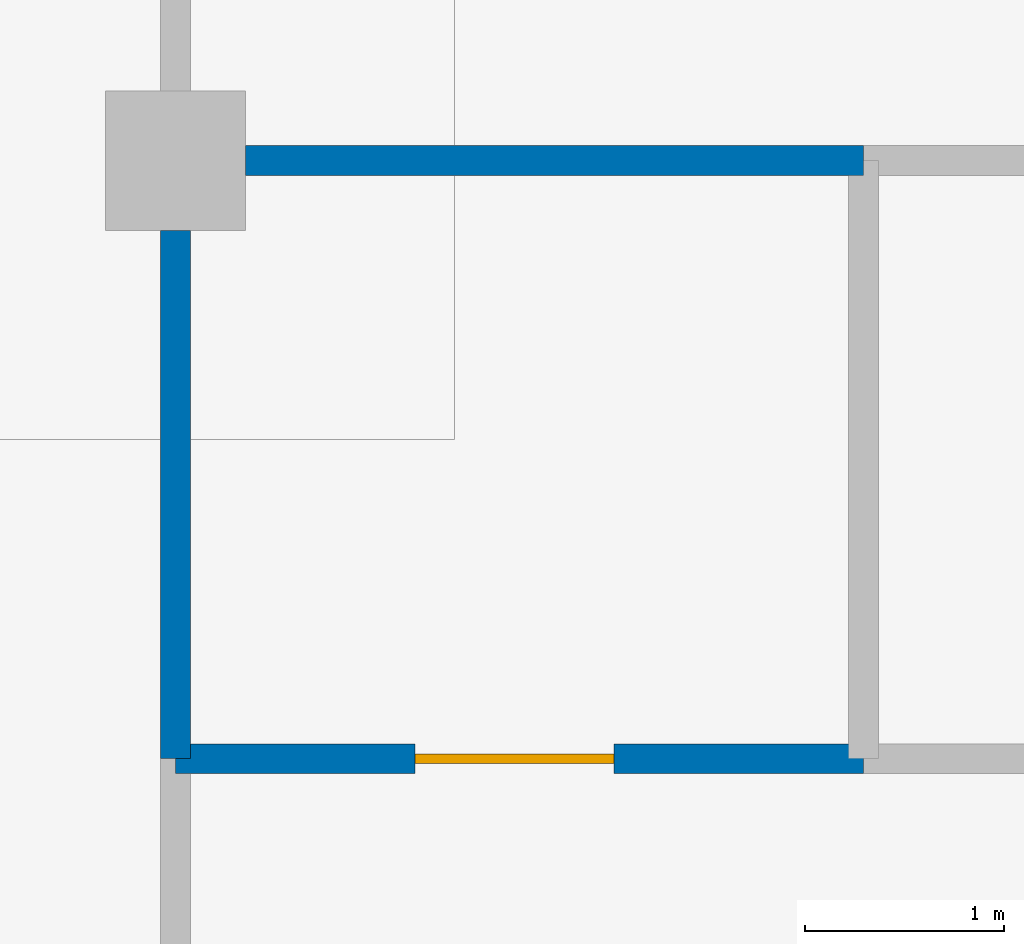
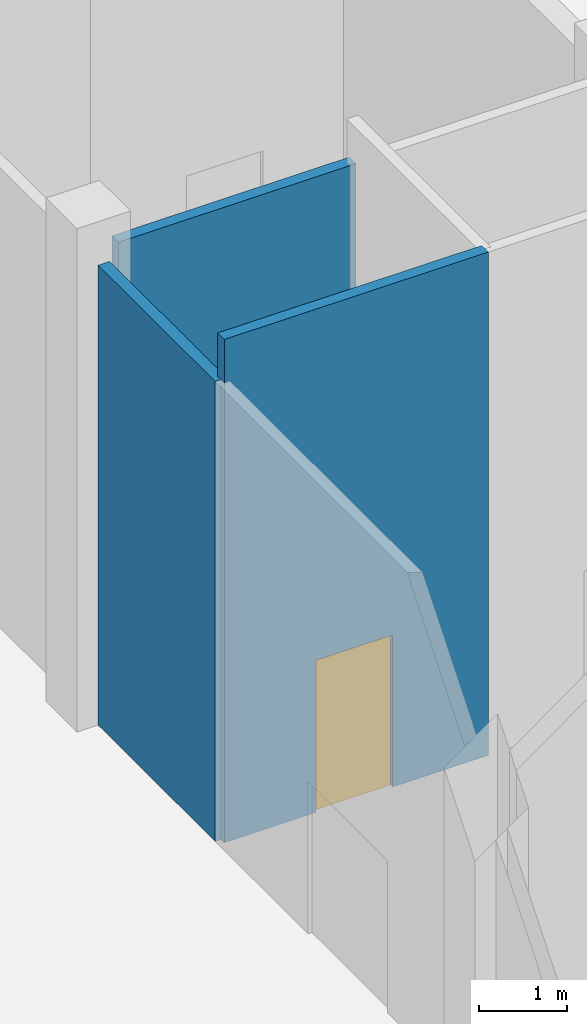
# One storey, part 12 of 30: 3 walls, 1 door, 1 opening.
"""IFC4 building model written with IfcOpenShell, lengths in metres."""

from ifc_helpers import new_model, si_unit, direction, frame, frame_2d, origin, place, context, subcontext, project, spatial, rectangle, extrude, material, layer, layer_set, type_object, element, fill, save


model = new_model("IFC4")

# Units and contexts
model_context = context("Model", 3, precision=1e-05, world=origin(), true_north=direction((0.0, 1.0)))
body_context = subcontext(model_context, "Body", "Model", "MODEL_VIEW")
ifc_project = project(units=[si_unit("LENGTHUNIT", "METRE"), si_unit("AREAUNIT", "SQUARE_METRE"), si_unit("VOLUMEUNIT", "CUBIC_METRE"), si_unit("PLANEANGLEUNIT", "RADIAN"), si_unit("MASSUNIT", "GRAM", prefix="KILO")], contexts=[model_context])

# Site, building, storey
site_placement = place(None, origin())
site = spatial("IfcSite", under=ifc_project, at=site_placement, CompositionType="ELEMENT")
building_placement = place(site_placement, origin())
building = spatial("IfcBuilding", under=site, at=building_placement, Name="Corbel Stack Research Tower", CompositionType="ELEMENT")
storey_placement = place(building_placement, origin())
storey = spatial("IfcBuildingStorey", under=building, at=storey_placement, Name="L00", CompositionType="ELEMENT", Elevation=0.0)

# Wall, opening, door
ifc_material_1 = material(Name="Concrete masonry unit", Category="masonry")
ifc_layer = layer(ifc_material_1, 0.14990234375)
ifc_layer_set = layer_set([ifc_layer], Name="Concrete masonry unit")
wall_type = type_object("IfcWallType", Name="HW3 partition 150", PredefinedType="PARTITIONING", material=ifc_layer_set)
wall_1_placement = place(storey_placement, frame((93.699951171875, -3.0, 0.0), z_axis=(0.0, 0.0, 1.0), x_axis=(1.0, 0.0, 0.0)))
wall_1 = element("IfcWall", 1, at=wall_1_placement, inside=storey, type_object=wall_type, Name="Wall L00 h-3.00/93.7", PredefinedType="PARTITIONING", context=body_context, shape_type="SweptSolid", body=[
    extrude(rectangle(XDim=3.449951171875, YDim=0.14990234375, at=frame_2d((1.72509765625, 0.0))), origin(), (0.0, 0.0, 1.0), 6.949951171875),
])
opening_placement = place(wall_1_placement, frame((1.199951171875, 0.0, 0.0)))
opening = element("IfcOpeningElement", 2, at=opening_placement, cuts=wall_1, Name="Opening H0-11", PredefinedType="OPENING", context=body_context, shape_type="SweptSolid", body=[
    extrude(rectangle(XDim=1.0, YDim=2.10009765625, at=frame_2d((0.5, 1.050048828125))), frame((0.0, 0.0849609375, 0.0), z_axis=(0.0, -1.0, 0.0), x_axis=(1.0, 0.0, 0.0)), (0.0, 0.0, 1.0), 0.169921875),
])
ifc_material_2 = material(Name="Timber", Category="wood")
door_type = type_object("IfcDoorType", Name="HD1 single door 1000 x 2100", OperationType="NOTDEFINED", PredefinedType="DOOR", material=ifc_material_2)
door_placement = place(opening_placement, origin())
door = element("IfcDoor", 3, at=door_placement, inside=storey, type_object=door_type, Name="Door H0-11", OperationType="SINGLE_SWING_RIGHT", OverallHeight=2.10009765625, OverallWidth=1.0, PredefinedType="DOOR", context=body_context, shape_type="SweptSolid", body=[
    extrude(rectangle(XDim=1.0, YDim=2.10009765625, at=frame_2d((0.5, 1.050048828125))), frame((0.0, 0.02490234375, 0.0), z_axis=(0.0, -1.0, 0.0), x_axis=(1.0, 0.0, 0.0)), (0.0, 0.0, 1.0), 0.050048828125),
])
fill(opening, door)

# Walls
wall_2_placement = place(storey_placement, frame((94.050048828125, 0.0, 0.0), z_axis=(0.0, 0.0, 1.0), x_axis=(1.0, 0.0, 0.0)))
element("IfcWall", 4, at=wall_2_placement, inside=storey, type_object=wall_type, Name="Wall L00 h0.00/94.0", PredefinedType="PARTITIONING", context=body_context, shape_type="SweptSolid", body=[
    extrude(rectangle(XDim=3.099853515625, YDim=0.14990234375, at=frame_2d((1.5498046875, 0.0))), origin(), (0.0, 0.0, 1.0), 6.35009765625),
])
wall_3_placement = place(storey_placement, frame((93.699951171875, -3.0, 0.0), z_axis=(0.0, 0.0, 1.0), x_axis=(0.0, 1.0, 0.0)))
element("IfcWall", 5, at=wall_3_placement, inside=storey, type_object=wall_type, Name="Wall L00 v93.70/-3.0", PredefinedType="PARTITIONING", context=body_context, shape_type="SweptSolid", body=[
    extrude(rectangle(XDim=2.64990234375, YDim=0.14990234375, at=frame_2d((1.324951171875, 0.0))), origin(), (0.0, 0.0, 1.0), 6.35009765625),
])

save(model, "model.ifc")
